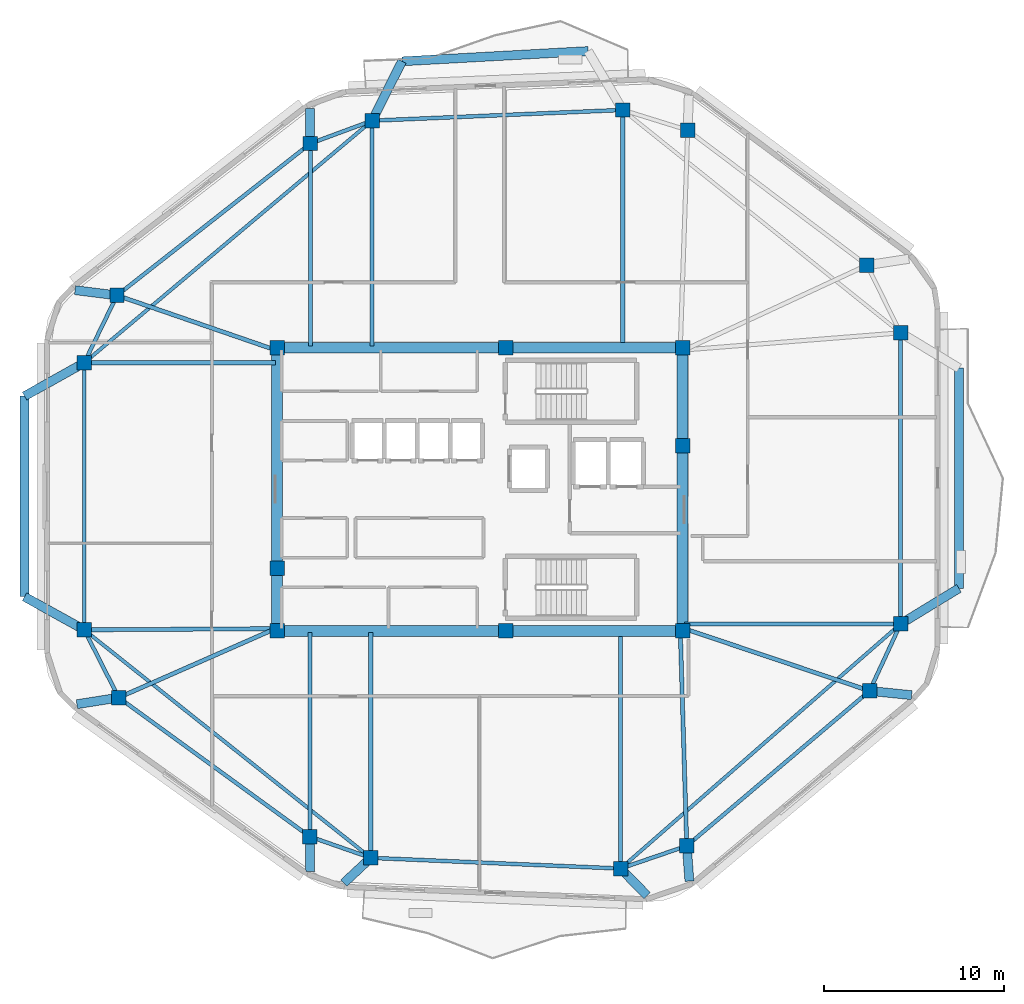
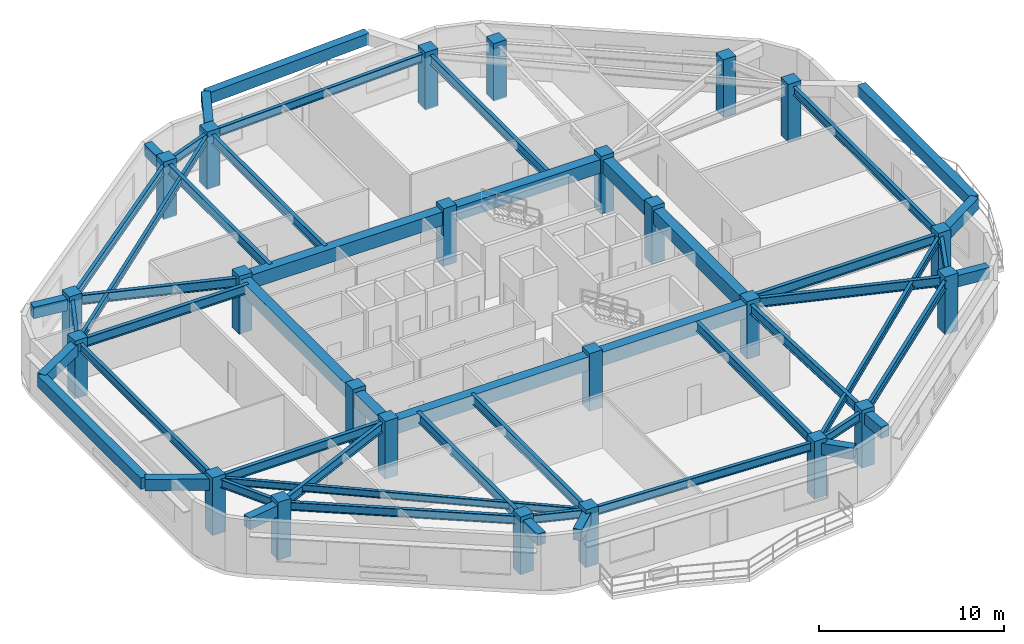
# One storey, part 1 of 8: 52 beams, 24 columns.
"""IFC4 building model written with IfcOpenShell, lengths in metres."""

from ifc_helpers import new_model, si_unit, direction, frame, origin, origin_2d, place, context, subcontext, project, spatial, rectangle, i_section, extrude, material, material_profile, profile_set, type_object, element, save


model = new_model("IFC4")

# Units and contexts
model_context = context("Model", 3, precision=1e-05, world=origin(), true_north=direction((0.0, 1.0)))
body_context = subcontext(model_context, "Body", "Model", "MODEL_VIEW")
ifc_project = project(units=[si_unit("LENGTHUNIT", "METRE"), si_unit("AREAUNIT", "SQUARE_METRE"), si_unit("VOLUMEUNIT", "CUBIC_METRE"), si_unit("PLANEANGLEUNIT", "RADIAN"), si_unit("MASSUNIT", "GRAM", prefix="KILO")], contexts=[model_context])

# Site, building, storey
site_placement = place(None, origin())
site = spatial("IfcSite", under=ifc_project, at=site_placement, CompositionType="ELEMENT")
building_placement = place(site_placement, origin())
building = spatial("IfcBuilding", under=site, at=building_placement, Name="Zulverin Broadcast Headquarters", CompositionType="ELEMENT")
storey_placement = place(building_placement, frame((0.0, 0.0, 297.199951171875)))
storey = spatial("IfcBuildingStorey", under=building, at=storey_placement, Name="L76", CompositionType="ELEMENT", Elevation=297.199951171875)

# Columns
ifc_material_1 = material(Name="Concrete C50/60", Category="concrete")
ifc_material_profile_1 = material_profile(ifc_material_1, rectangle(XDim=0.800048828125, YDim=0.800048828125, at=origin_2d()), Name="Concrete C50/60", Category="concrete")
ifc_profile_set_1 = profile_set([ifc_material_profile_1], Name="Concrete C50/60")
column_type_1 = type_object("IfcColumnType", Name="COL-RC-800", PredefinedType="COLUMN", material=ifc_profile_set_1)
for number, where, z_axis, x_axis, name in (
    (1, (30.93359375, 4.703125, 0.0), (0.0, 0.0, 1.0), (1.0, 0.0, 0.0), "L76 Perimeter Column T01"),
    (2, (44.826904296875, 4.1083984375, 0.0), (0.0, 0.0, 1.0), (1.0, 0.0, 0.0), "L76 Perimeter Column T02"),
    (3, (48.5078125, 5.3701171875, 0.0), (0.0, 0.0, 1.0), (1.0, 0.0, 0.0), "L76 Perimeter Column T03"),
    (4, (58.6748046875, 13.9892578125, 0.0), (0.0, 0.0, 1.0), (1.0, 0.0, 0.0), "L76 Perimeter Column T04"),
    (5, (60.39990234375, 17.713623046875, 0.0), (0.0, 0.0, 1.0), (1.0, 0.0, 0.0), "L76 Perimeter Column T05"),
    (6, (60.39990234375, 33.903076171875, 0.0), (0.0, 0.0, 1.0), (1.0, 0.0, 0.0), "L76 Perimeter Column T06"),
    (7, (58.52587890625, 37.661865234375, 0.0), (0.0, 0.0, 1.0), (1.0, 0.0, 0.0), "L76 Perimeter Column T07"),
    (8, (48.55908203125, 45.172607421875, 0.0), (0.0, 0.0, 1.0), (1.0, 0.0, 0.0), "L76 Perimeter Column T08"),
    (9, (44.944580078125, 46.296630859375, 0.0), (0.0, 0.0, 1.0), (1.0, 0.0, 0.0), "L76 Perimeter Column T09"),
    (10, (31.006591796875, 45.699951171875, 0.0), (0.0, 0.0, 1.0), (1.0, 0.0, 0.0), "L76 Perimeter Column T10"),
    (11, (27.573486328125, 44.4296875, 0.0), (0.0, 0.0, 1.0), (1.0, 0.0, 0.0), "L76 Perimeter Column T11"),
    (12, (16.82177734375, 35.98388671875, 0.0), (0.0, 0.0, 1.0), (1.0, 0.0, 0.0), "L76 Perimeter Column T12"),
    (13, (15.0, 32.236083984375, 0.0), (0.0, 0.0, 1.0), (1.0, 0.0, 0.0), "L76 Perimeter Column T13"),
    (14, (15.0, 17.383056640625, 0.0), (0.0, 0.0, 1.0), (1.0, 0.0, 0.0), "L76 Perimeter Column T14"),
    (15, (16.918212890625, 13.61572265625, 0.0), (0.0, 0.0, 1.0), (1.0, 0.0, 0.0), "L76 Perimeter Column T15"),
    (16, (27.54541015625, 5.8857421875, 0.0), (0.0, 0.0, 1.0), (1.0, 0.0, 0.0), "L76 Perimeter Column T16"),
):
    element("IfcColumn", number, at=place(storey_placement, frame(where, z_axis=z_axis, x_axis=x_axis)), inside=storey, type_object=column_type_1, Name=name, PredefinedType="COLUMN", context=body_context, shape_type="SweptSolid", body=[
        extrude(rectangle(XDim=0.800048828125, YDim=0.800048828125, at=origin_2d()), origin(), (0.0, 0.0, 1.0), 3.800048828125),
    ])
ifc_material_profile_2 = material_profile(ifc_material_1, rectangle(XDim=0.800048828125, YDim=0.800048828125, at=origin_2d()), Name="Concrete C50/60", Category="concrete")
ifc_profile_set_2 = profile_set([ifc_material_profile_2], Name="Concrete C50/60")
column_type_2 = type_object("IfcColumnType", Name="PIL-RC-800", PredefinedType="PILASTER", material=ifc_profile_set_2)
for number, where, z_axis, x_axis, name in (
    (17, (25.72509765625, 17.324951171875, 0.0), (0.0, 0.0, 1.0), (1.0, 0.0, 0.0), "L76 Core Pilaster K01"),
    (18, (38.449951171875, 17.324951171875, 0.0), (0.0, 0.0, 1.0), (1.0, 0.0, 0.0), "L76 Core Pilaster K02"),
    (19, (48.27490234375, 17.324951171875, 0.0), (0.0, 0.0, 1.0), (1.0, 0.0, 0.0), "L76 Core Pilaster K03"),
    (20, (48.27490234375, 27.6201171875, 0.0), (0.0, 0.0, 1.0), (1.0, 0.0, 0.0), "L76 Core Pilaster K04"),
    (21, (48.27490234375, 33.074951171875, 0.0), (0.0, 0.0, 1.0), (1.0, 0.0, 0.0), "L76 Core Pilaster K05"),
    (22, (38.449951171875, 33.074951171875, 0.0), (0.0, 0.0, 1.0), (1.0, 0.0, 0.0), "L76 Core Pilaster K06"),
    (23, (25.72509765625, 33.074951171875, 0.0), (0.0, 0.0, 1.0), (1.0, 0.0, 0.0), "L76 Core Pilaster K07"),
    (24, (25.72509765625, 20.800048828125, 0.0), (0.0, 0.0, 1.0), (1.0, 0.0, 0.0), "L76 Core Pilaster K08"),
):
    element("IfcColumn", number, at=place(storey_placement, frame(where, z_axis=z_axis, x_axis=x_axis)), inside=storey, type_object=column_type_2, Name=name, PredefinedType="PILASTER", context=body_context, shape_type="SweptSolid", body=[
        extrude(rectangle(XDim=0.800048828125, YDim=0.800048828125, at=origin_2d()), origin(), (0.0, 0.0, 1.0), 3.800048828125),
    ])

# Beams
ifc_material_2 = material(Name="Concrete C60/75", Category="concrete")
ifc_material_profile_3 = material_profile(ifc_material_2, rectangle(XDim=0.60009765625, YDim=0.89990234375, at=origin_2d()), Name="Concrete C60/75", Category="concrete")
ifc_profile_set_3 = profile_set([ifc_material_profile_3], Name="Concrete C60/75")
beam_type_1 = type_object("IfcBeamType", Name="BM-CB-600x900", PredefinedType="LINTEL", material=ifc_profile_set_3)
beam_1_placement = place(storey_placement, frame((25.72509765625, 17.324951171875, 3.090087890625), z_axis=(1.0, 0.0, 0.0), x_axis=(0.0, 1.0, 0.0)))
element("IfcBeam", 25, at=beam_1_placement, inside=storey, type_object=beam_type_1, Name="L76 Core Coupling Girder K01-K02", PredefinedType="LINTEL", context=body_context, shape_type="SweptSolid", body=[
    extrude(rectangle(XDim=0.60009765625, YDim=0.89990234375, at=origin_2d()), origin(), (0.0, 0.0, 1.0), 12.724853515625),
])
beam_2_placement = place(storey_placement, frame((38.449951171875, 17.324951171875, 3.090087890625), z_axis=(1.0, 0.0, 0.0), x_axis=(0.0, 1.0, 0.0)))
element("IfcBeam", 26, at=beam_2_placement, inside=storey, type_object=beam_type_1, Name="L76 Core Coupling Girder K02-K03", PredefinedType="LINTEL", context=body_context, shape_type="SweptSolid", body=[
    extrude(rectangle(XDim=0.60009765625, YDim=0.89990234375, at=origin_2d()), origin(), (0.0, 0.0, 1.0), 9.824951171875),
])
beam_3_placement = place(storey_placement, frame((48.27490234375, 17.324951171875, 3.090087890625), z_axis=(0.0, 1.0, 0.0), x_axis=(-1.0, 0.0, 0.0)))
element("IfcBeam", 27, at=beam_3_placement, inside=storey, type_object=beam_type_1, Name="L76 Core Coupling Girder K03-K04", PredefinedType="LINTEL", context=body_context, shape_type="SweptSolid", body=[
    extrude(rectangle(XDim=0.60009765625, YDim=0.89990234375, at=origin_2d()), origin(), (0.0, 0.0, 1.0), 10.295166015625),
])
beam_4_placement = place(storey_placement, frame((48.27490234375, 27.6201171875, 3.090087890625), z_axis=(0.0, 1.0, 0.0), x_axis=(-1.0, 0.0, 0.0)))
element("IfcBeam", 28, at=beam_4_placement, inside=storey, type_object=beam_type_1, Name="L76 Core Coupling Girder K04-K05", PredefinedType="LINTEL", context=body_context, shape_type="SweptSolid", body=[
    extrude(rectangle(XDim=0.60009765625, YDim=0.89990234375, at=origin_2d()), origin(), (0.0, 0.0, 1.0), 5.454833984375),
])
beam_5_placement = place(storey_placement, frame((48.27490234375, 33.074951171875, 3.090087890625), z_axis=(-1.0, 0.0, 0.0), x_axis=(0.0, -1.0, 0.0)))
element("IfcBeam", 29, at=beam_5_placement, inside=storey, type_object=beam_type_1, Name="L76 Core Coupling Girder K05-K06", PredefinedType="LINTEL", context=body_context, shape_type="SweptSolid", body=[
    extrude(rectangle(XDim=0.60009765625, YDim=0.89990234375, at=origin_2d()), origin(), (0.0, 0.0, 1.0), 9.824951171875),
])
beam_6_placement = place(storey_placement, frame((38.449951171875, 33.074951171875, 3.090087890625), z_axis=(-1.0, 0.0, 0.0), x_axis=(0.0, -1.0, 0.0)))
element("IfcBeam", 30, at=beam_6_placement, inside=storey, type_object=beam_type_1, Name="L76 Core Coupling Girder K06-K07", PredefinedType="LINTEL", context=body_context, shape_type="SweptSolid", body=[
    extrude(rectangle(XDim=0.60009765625, YDim=0.89990234375, at=origin_2d()), origin(), (0.0, 0.0, 1.0), 12.724853515625),
])
beam_7_placement = place(storey_placement, frame((25.72509765625, 33.074951171875, 3.090087890625), z_axis=(0.0, -1.0, 0.0), x_axis=(1.0, 0.0, 0.0)))
element("IfcBeam", 31, at=beam_7_placement, inside=storey, type_object=beam_type_1, Name="L76 Core Coupling Girder K07-K08", PredefinedType="LINTEL", context=body_context, shape_type="SweptSolid", body=[
    extrude(rectangle(XDim=0.60009765625, YDim=0.89990234375, at=origin_2d()), origin(), (0.0, 0.0, 1.0), 12.27490234375),
])
beam_8_placement = place(storey_placement, frame((25.72509765625, 20.800048828125, 3.090087890625), z_axis=(0.0, -1.0, 0.0), x_axis=(1.0, 0.0, 0.0)))
element("IfcBeam", 32, at=beam_8_placement, inside=storey, type_object=beam_type_1, Name="L76 Core Coupling Girder K08-K01", PredefinedType="LINTEL", context=body_context, shape_type="SweptSolid", body=[
    extrude(rectangle(XDim=0.60009765625, YDim=0.89990234375, at=origin_2d()), origin(), (0.0, 0.0, 1.0), 3.47509765625),
])
ifc_material_3 = material(Name="Concrete C40/50", Category="concrete")
ifc_material_profile_4 = material_profile(ifc_material_3, rectangle(XDim=0.5, YDim=0.75, at=origin_2d()), Name="Concrete C40/50", Category="concrete")
ifc_profile_set_4 = profile_set([ifc_material_profile_4], Name="Concrete C40/50")
beam_type_2 = type_object("IfcBeamType", Name="BM-RC-500x750", PredefinedType="BEAM", material=ifc_profile_set_4)
beam_9_placement = place(storey_placement, frame((30.93359375, 4.703125, 3.1650390625), z_axis=(-0.73024265603, -0.683187868243, 0.0), x_axis=(0.683187868243, -0.73024265603, 0.0)))
element("IfcBeam", 33, at=beam_9_placement, inside=storey, type_object=beam_type_2, Name="L77 Plate Overhang Back-Spanned Beam OVR-01", PredefinedType="BEAM", context=body_context, shape_type="SweptSolid", body=[
    extrude(rectangle(XDim=0.5, YDim=0.75, at=origin_2d()), origin(), (0.0, 0.0, 1.0), 2.04931640625),
])
beam_10_placement = place(storey_placement, frame((44.826904296875, 4.1083984375, 3.1650390625), z_axis=(0.700802041064, -0.713355801295, 0.0), x_axis=(0.713355801295, 0.700802041064, 0.0)))
element("IfcBeam", 34, at=beam_10_placement, inside=storey, type_object=beam_type_2, Name="L77 Plate Overhang Back-Spanned Beam OVR-02", PredefinedType="BEAM", context=body_context, shape_type="SweptSolid", body=[
    extrude(rectangle(XDim=0.5, YDim=0.75, at=origin_2d()), origin(), (0.0, 0.0, 1.0), 2.100341796875),
])
beam_11_placement = place(storey_placement, frame((48.5078125, 5.3701171875, 3.1650390625), z_axis=(0.074434680239, -0.997225891349, 0.0), x_axis=(0.997225891349, 0.074434680239, 0.0)))
element("IfcBeam", 35, at=beam_11_placement, inside=storey, type_object=beam_type_2, Name="L77 Plate Overhang Back-Spanned Beam OVR-03", PredefinedType="BEAM", context=body_context, shape_type="SweptSolid", body=[
    extrude(rectangle(XDim=0.5, YDim=0.75, at=origin_2d()), origin(), (0.0, 0.0, 1.0), 1.964599609375),
])
beam_12_placement = place(storey_placement, frame((58.6748046875, 13.9892578125, 3.1650390625), z_axis=(0.994775761489, -0.10208420227, 0.0), x_axis=(0.10208420227, 0.994775761489, 0.0)))
element("IfcBeam", 36, at=beam_12_placement, inside=storey, type_object=beam_type_2, Name="L77 Plate Overhang Back-Spanned Beam OVR-04", PredefinedType="BEAM", context=body_context, shape_type="SweptSolid", body=[
    extrude(rectangle(XDim=0.5, YDim=0.75, at=origin_2d()), origin(), (0.0, 0.0, 1.0), 2.350830078125),
])
beam_13_placement = place(storey_placement, frame((27.573486328125, 44.4296875, 3.1650390625), z_axis=(-0.015261577794, 0.99988353534, 0.0), x_axis=(-0.99988353534, -0.015261577794, 0.0)))
element("IfcBeam", 37, at=beam_13_placement, inside=storey, type_object=beam_type_2, Name="L77 Plate Overhang Back-Spanned Beam OVR-11", PredefinedType="BEAM", context=body_context, shape_type="SweptSolid", body=[
    extrude(rectangle(XDim=0.5, YDim=0.75, at=origin_2d()), origin(), (0.0, 0.0, 1.0), 1.95166015625),
])
beam_14_placement = place(storey_placement, frame((16.82177734375, 35.98388671875, 3.1650390625), z_axis=(-0.992249101717, 0.124264718012, 0.0), x_axis=(-0.124264718012, -0.992249101717, 0.0)))
element("IfcBeam", 38, at=beam_14_placement, inside=storey, type_object=beam_type_2, Name="L77 Plate Overhang Back-Spanned Beam OVR-12", PredefinedType="BEAM", context=body_context, shape_type="SweptSolid", body=[
    extrude(rectangle(XDim=0.5, YDim=0.75, at=origin_2d()), origin(), (0.0, 0.0, 1.0), 2.351806640625),
])
beam_15_placement = place(storey_placement, frame((16.918212890625, 13.61572265625, 3.1650390625), z_axis=(-0.987723457787, -0.156212582521, 0.0), x_axis=(0.156212582521, -0.987723457787, 0.0)))
element("IfcBeam", 39, at=beam_15_placement, inside=storey, type_object=beam_type_2, Name="L77 Plate Overhang Back-Spanned Beam OVR-15", PredefinedType="BEAM", context=body_context, shape_type="SweptSolid", body=[
    extrude(rectangle(XDim=0.5, YDim=0.75, at=origin_2d()), origin(), (0.0, 0.0, 1.0), 2.35693359375),
])
beam_16_placement = place(storey_placement, frame((27.54541015625, 5.8857421875, 3.1650390625), z_axis=(0.012082189143, -0.999927007689, 0.0), x_axis=(0.999927007689, 0.012082189143, 0.0)))
element("IfcBeam", 40, at=beam_16_placement, inside=storey, type_object=beam_type_2, Name="L77 Plate Overhang Back-Spanned Beam OVR-16", PredefinedType="BEAM", context=body_context, shape_type="SweptSolid", body=[
    extrude(rectangle(XDim=0.5, YDim=0.75, at=origin_2d()), origin(), (0.0, 0.0, 1.0), 1.93994140625),
])
beam_17_placement = place(storey_placement, frame((60.39990234375, 17.713623046875, 3.1650390625), z_axis=(0.853361233194, 0.521320060694, 0.0), x_axis=(-0.521320060694, 0.853361233194, 0.0)))
element("IfcBeam", 41, at=beam_17_placement, inside=storey, type_object=beam_type_2, Name="L77 Balcony Column-Framed Cantilever BAL_E-1", PredefinedType="BEAM", context=body_context, shape_type="SweptSolid", body=[
    extrude(rectangle(XDim=0.5, YDim=0.75, at=origin_2d()), origin(), (0.0, 0.0, 1.0), 3.7998046875),
])
beam_18_placement = place(storey_placement, frame((63.642578125, 19.694580078125, 3.1650390625), z_axis=(0.000757802156, 0.999999712868, 0.0), x_axis=(-0.999999712868, 0.000757802156, 0.0)))
element("IfcBeam", 42, at=beam_18_placement, inside=storey, type_object=beam_type_2, Name="L77 Balcony Outer Edge Trimmer Beam BAL_E", PredefinedType="BEAM", context=body_context, shape_type="SweptSolid", body=[
    extrude(rectangle(XDim=0.5, YDim=0.75, at=origin_2d()), origin(), (0.0, 0.0, 1.0), 12.242431640625),
])
beam_19_placement = place(storey_placement, frame((31.006591796875, 45.699951171875, 3.1650390625), z_axis=(0.450116919945, 0.892969629035, 0.0), x_axis=(-0.892969629035, 0.450116919945, 0.0)))
element("IfcBeam", 43, at=beam_19_placement, inside=storey, type_object=beam_type_2, Name="L77 Balcony Column-Framed Cantilever BAL_N-2", PredefinedType="BEAM", context=body_context, shape_type="SweptSolid", body=[
    extrude(rectangle(XDim=0.5, YDim=0.75, at=origin_2d()), origin(), (0.0, 0.0, 1.0), 3.697021484375),
])
beam_20_placement = place(storey_placement, frame((43.0166015625, 49.5712890625, 3.1650390625), z_axis=(-0.998485407451, -0.055017189192, 0.0), x_axis=(0.055017189192, -0.998485407451, 0.0)))
element("IfcBeam", 44, at=beam_20_placement, inside=storey, type_object=beam_type_2, Name="L77 Balcony Outer Edge Trimmer Beam BAL_N", PredefinedType="BEAM", context=body_context, shape_type="SweptSolid", body=[
    extrude(rectangle(XDim=0.5, YDim=0.75, at=origin_2d()), origin(), (0.0, 0.0, 1.0), 10.361572265625),
])
for number, where, z_axis, x_axis, name in (
    (45, (15.0, 32.236083984375, 3.1650390625), (-0.873048873834, -0.487632714137, 0.0), (0.487632714137, -0.873048873834, 0.0), "L77 Balcony Column-Framed Cantilever BAL_W-1"),
    (46, (15.0, 17.383056640625, 3.1650390625), (-0.874614506894, 0.484819001618, 0.0), (-0.484819001618, -0.874614506894, 0.0), "L77 Balcony Column-Framed Cantilever BAL_W-2"),
):
    element("IfcBeam", number, at=place(storey_placement, frame(where, z_axis=z_axis, x_axis=x_axis)), inside=storey, type_object=beam_type_2, Name=name, PredefinedType="BEAM", context=body_context, shape_type="SweptSolid", body=[
        extrude(rectangle(XDim=0.5, YDim=0.75, at=origin_2d()), origin(), (0.0, 0.0, 1.0), 3.800048828125),
    ])
beam_21_placement = place(storey_placement, frame((11.682373046875, 30.383056640625, 3.1650390625), z_axis=(-0.000525141059, -0.999999862113, 0.0), x_axis=(0.999999862113, -0.000525141059, 0.0)))
element("IfcBeam", 47, at=beam_21_placement, inside=storey, type_object=beam_type_2, Name="L77 Balcony Outer Edge Trimmer Beam BAL_W", PredefinedType="BEAM", context=body_context, shape_type="SweptSolid", body=[
    extrude(rectangle(XDim=0.5, YDim=0.75, at=origin_2d()), origin(), (0.0, 0.0, 1.0), 11.15771484375),
])
ifc_material_4 = material(Name="Structural steel S355JR", Category="steel")
ifc_material_profile_5 = material_profile(ifc_material_4, i_section(OverallWidth=0.19287109375, OverallDepth=0.46728515625, WebThickness=0.011474609375, FlangeThickness=0.01953125, at=origin_2d()), Name="Structural steel S355JR", Category="steel")
ifc_profile_set_5 = profile_set([ifc_material_profile_5], Name="Structural steel S355JR")
beam_type_3 = type_object("IfcBeamType", Name="BM-UB-457", PredefinedType="JOIST", material=ifc_profile_set_5)
beam_22_placement = place(storey_placement, frame((44.826904296875, 4.1083984375, 3.306396484375), z_axis=(0.753083303383, 0.657925176723, 0.0), x_axis=(-0.657925176723, 0.753083303383, 0.0)))
element("IfcBeam", 48, at=beam_22_placement, inside=storey, type_object=beam_type_3, Name="L76 Chordal Floor Joist J-01", PredefinedType="JOIST", context=body_context, shape_type="SweptSolid", body=[
    extrude(i_section(OverallWidth=0.19287109375, OverallDepth=0.46728515625, WebThickness=0.011474609375, FlangeThickness=0.01953125, at=origin_2d()), origin(), (0.0, 0.0, 1.0), 20.678955078125),
])
beam_23_placement = place(storey_placement, frame((31.006591796875, 45.699951171875, 3.306396484375), z_axis=(-0.765273089862, -0.643705754156, 0.0), x_axis=(0.643705754156, -0.765273089862, 0.0)))
element("IfcBeam", 49, at=beam_23_placement, inside=storey, type_object=beam_type_3, Name="L76 Chordal Floor Joist J-03", PredefinedType="JOIST", context=body_context, shape_type="SweptSolid", body=[
    extrude(i_section(OverallWidth=0.19287109375, OverallDepth=0.46728515625, WebThickness=0.011474609375, FlangeThickness=0.01953125, at=origin_2d()), origin(), (0.0, 0.0, 1.0), 20.916259765625),
])
beam_24_placement = place(storey_placement, frame((15.0, 17.383056640625, 3.306396484375), z_axis=(0.782469878912, -0.622688436214, 0.0), x_axis=(0.622688436214, 0.782469878912, 0.0)))
element("IfcBeam", 50, at=beam_24_placement, inside=storey, type_object=beam_type_3, Name="L76 Chordal Floor Joist J-04", PredefinedType="JOIST", context=body_context, shape_type="SweptSolid", body=[
    extrude(i_section(OverallWidth=0.19287109375, OverallDepth=0.46728515625, WebThickness=0.011474609375, FlangeThickness=0.01953125, at=origin_2d()), origin(), (0.0, 0.0, 1.0), 20.36328125),
])
ifc_material_profile_6 = material_profile(ifc_material_4, i_section(OverallWidth=0.2119140625, OverallDepth=0.54443359375, WebThickness=0.0126953125, FlangeThickness=0.021240234375, at=origin_2d()), Name="Structural steel S355JR", Category="steel")
ifc_profile_set_6 = profile_set([ifc_material_profile_6], Name="Structural steel S355JR")
beam_type_4 = type_object("IfcBeamType", Name="BM-UB-533", PredefinedType="SPANDREL", material=ifc_profile_set_6)
beam_25_placement = place(storey_placement, frame((30.93359375, 4.703125, 3.267822265625), z_axis=(0.999085051108, -0.042767518662, 0.0), x_axis=(0.042767518662, 0.999085051108, 0.0)))
element("IfcBeam", 51, at=beam_25_placement, inside=storey, type_object=beam_type_4, Name="L76 Perimeter Spandrel Beam SP-01", PredefinedType="SPANDREL", context=body_context, shape_type="SweptSolid", body=[
    extrude(i_section(OverallWidth=0.2119140625, OverallDepth=0.54443359375, WebThickness=0.0126953125, FlangeThickness=0.021240234375, at=origin_2d()), origin(), (0.0, 0.0, 1.0), 13.906005859375),
])
beam_26_placement = place(storey_placement, frame((44.826904296875, 4.1083984375, 3.267822265625), z_axis=(0.945970142065, 0.324253743728, 0.0), x_axis=(-0.324253743728, 0.945970142065, 0.0)))
element("IfcBeam", 52, at=beam_26_placement, inside=storey, type_object=beam_type_4, Name="L76 Perimeter Spandrel Beam SP-02", PredefinedType="SPANDREL", context=body_context, shape_type="SweptSolid", body=[
    extrude(i_section(OverallWidth=0.2119140625, OverallDepth=0.54443359375, WebThickness=0.0126953125, FlangeThickness=0.021240234375, at=origin_2d()), origin(), (0.0, 0.0, 1.0), 3.89111328125),
])
beam_27_placement = place(storey_placement, frame((48.5078125, 5.3701171875, 3.267822265625), z_axis=(0.762782889345, 0.646654671152, 0.0), x_axis=(-0.646654671152, 0.762782889345, 0.0)))
element("IfcBeam", 53, at=beam_27_placement, inside=storey, type_object=beam_type_4, Name="L76 Perimeter Spandrel Beam SP-03", PredefinedType="SPANDREL", context=body_context, shape_type="SweptSolid", body=[
    extrude(i_section(OverallWidth=0.2119140625, OverallDepth=0.54443359375, WebThickness=0.0126953125, FlangeThickness=0.021240234375, at=origin_2d()), origin(), (0.0, 0.0, 1.0), 13.328857421875),
])
beam_28_placement = place(storey_placement, frame((58.6748046875, 13.9892578125, 3.267822265625), z_axis=(0.420294999852, 0.907387520908, 0.0), x_axis=(-0.907387520908, 0.420294999852, 0.0)))
element("IfcBeam", 54, at=beam_28_placement, inside=storey, type_object=beam_type_4, Name="L76 Perimeter Spandrel Beam SP-04", PredefinedType="SPANDREL", context=body_context, shape_type="SweptSolid", body=[
    extrude(i_section(OverallWidth=0.2119140625, OverallDepth=0.54443359375, WebThickness=0.0126953125, FlangeThickness=0.021240234375, at=origin_2d()), origin(), (0.0, 0.0, 1.0), 4.1044921875),
])
beam_29_placement = place(storey_placement, frame((60.39990234375, 17.713623046875, 3.267822265625), z_axis=(0.0, 1.0, 0.0), x_axis=(-1.0, 0.0, 0.0)))
element("IfcBeam", 55, at=beam_29_placement, inside=storey, type_object=beam_type_4, Name="L76 Perimeter Spandrel Beam SP-05", PredefinedType="SPANDREL", context=body_context, shape_type="SweptSolid", body=[
    extrude(i_section(OverallWidth=0.2119140625, OverallDepth=0.54443359375, WebThickness=0.0126953125, FlangeThickness=0.021240234375, at=origin_2d()), origin(), (0.0, 0.0, 1.0), 16.189453125),
])
beam_30_placement = place(storey_placement, frame((44.944580078125, 46.296630859375, 3.267822265625), z_axis=(-0.999084926695, -0.042770424958, 0.0), x_axis=(0.042770424958, -0.999084926695, 0.0)))
element("IfcBeam", 56, at=beam_30_placement, inside=storey, type_object=beam_type_4, Name="L76 Perimeter Spandrel Beam SP-09", PredefinedType="SPANDREL", context=body_context, shape_type="SweptSolid", body=[
    extrude(i_section(OverallWidth=0.2119140625, OverallDepth=0.54443359375, WebThickness=0.0126953125, FlangeThickness=0.021240234375, at=origin_2d()), origin(), (0.0, 0.0, 1.0), 13.95068359375),
])
beam_31_placement = place(storey_placement, frame((31.006591796875, 45.699951171875, 3.267822265625), z_axis=(-0.937860540342, -0.347012401607, 0.0), x_axis=(0.347012401607, -0.937860540342, 0.0)))
element("IfcBeam", 57, at=beam_31_placement, inside=storey, type_object=beam_type_4, Name="L76 Perimeter Spandrel Beam SP-10", PredefinedType="SPANDREL", context=body_context, shape_type="SweptSolid", body=[
    extrude(i_section(OverallWidth=0.2119140625, OverallDepth=0.54443359375, WebThickness=0.0126953125, FlangeThickness=0.021240234375, at=origin_2d()), origin(), (0.0, 0.0, 1.0), 3.66064453125),
])
beam_32_placement = place(storey_placement, frame((27.573486328125, 44.4296875, 3.267822265625), z_axis=(-0.786388352061, -0.617732433779, 0.0), x_axis=(0.617732433779, -0.786388352061, 0.0)))
element("IfcBeam", 58, at=beam_32_placement, inside=storey, type_object=beam_type_4, Name="L76 Perimeter Spandrel Beam SP-11", PredefinedType="SPANDREL", context=body_context, shape_type="SweptSolid", body=[
    extrude(i_section(OverallWidth=0.2119140625, OverallDepth=0.54443359375, WebThickness=0.0126953125, FlangeThickness=0.021240234375, at=origin_2d()), origin(), (0.0, 0.0, 1.0), 13.67236328125),
])
beam_33_placement = place(storey_placement, frame((16.82177734375, 35.98388671875, 3.267822265625), z_axis=(-0.437178884994, -0.899374572976, 0.0), x_axis=(0.899374572976, -0.437178884994, 0.0)))
element("IfcBeam", 59, at=beam_33_placement, inside=storey, type_object=beam_type_4, Name="L76 Perimeter Spandrel Beam SP-12", PredefinedType="SPANDREL", context=body_context, shape_type="SweptSolid", body=[
    extrude(i_section(OverallWidth=0.2119140625, OverallDepth=0.54443359375, WebThickness=0.0126953125, FlangeThickness=0.021240234375, at=origin_2d()), origin(), (0.0, 0.0, 1.0), 4.167236328125),
])
beam_34_placement = place(storey_placement, frame((15.0, 32.236083984375, 3.267822265625), z_axis=(0.0, -1.0, 0.0), x_axis=(1.0, 0.0, 0.0)))
element("IfcBeam", 60, at=beam_34_placement, inside=storey, type_object=beam_type_4, Name="L76 Perimeter Spandrel Beam SP-13", PredefinedType="SPANDREL", context=body_context, shape_type="SweptSolid", body=[
    extrude(i_section(OverallWidth=0.2119140625, OverallDepth=0.54443359375, WebThickness=0.0126953125, FlangeThickness=0.021240234375, at=origin_2d()), origin(), (0.0, 0.0, 1.0), 14.85302734375),
])
beam_35_placement = place(storey_placement, frame((15.0, 17.383056640625, 3.267822265625), z_axis=(0.453738909408, -0.89113467113, 0.0), x_axis=(0.89113467113, 0.453738909408, 0.0)))
element("IfcBeam", 61, at=beam_35_placement, inside=storey, type_object=beam_type_4, Name="L76 Perimeter Spandrel Beam SP-14", PredefinedType="SPANDREL", context=body_context, shape_type="SweptSolid", body=[
    extrude(i_section(OverallWidth=0.2119140625, OverallDepth=0.54443359375, WebThickness=0.0126953125, FlangeThickness=0.021240234375, at=origin_2d()), origin(), (0.0, 0.0, 1.0), 4.2275390625),
])
beam_36_placement = place(storey_placement, frame((16.918212890625, 13.61572265625, 3.267822265625), z_axis=(0.808695913066, -0.588226929162, 0.0), x_axis=(0.588226929162, 0.808695913066, 0.0)))
element("IfcBeam", 62, at=beam_36_placement, inside=storey, type_object=beam_type_4, Name="L76 Perimeter Spandrel Beam SP-15", PredefinedType="SPANDREL", context=body_context, shape_type="SweptSolid", body=[
    extrude(i_section(OverallWidth=0.2119140625, OverallDepth=0.54443359375, WebThickness=0.0126953125, FlangeThickness=0.021240234375, at=origin_2d()), origin(), (0.0, 0.0, 1.0), 13.14111328125),
])
beam_37_placement = place(storey_placement, frame((27.54541015625, 5.8857421875, 3.267822265625), z_axis=(0.944140138036, -0.329544230339, 0.0), x_axis=(0.329544230339, 0.944140138036, 0.0)))
element("IfcBeam", 63, at=beam_37_placement, inside=storey, type_object=beam_type_4, Name="L76 Perimeter Spandrel Beam SP-16", PredefinedType="SPANDREL", context=body_context, shape_type="SweptSolid", body=[
    extrude(i_section(OverallWidth=0.2119140625, OverallDepth=0.54443359375, WebThickness=0.0126953125, FlangeThickness=0.021240234375, at=origin_2d()), origin(), (0.0, 0.0, 1.0), 3.588623046875),
])
ifc_material_profile_7 = material_profile(ifc_material_4, i_section(OverallWidth=0.230224609375, OverallDepth=0.6171875, WebThickness=0.01318359375, FlangeThickness=0.022216796875, at=origin_2d()), Name="Structural steel S355JR", Category="steel")
ifc_profile_set_7 = profile_set([ifc_material_profile_7], Name="Structural steel S355JR")
beam_type_5 = type_object("IfcBeamType", Name="BM-UB-610", PredefinedType="BEAM", material=ifc_profile_set_7)
beam_38_placement = place(storey_placement, frame((30.93359375, 17.22509765625, 3.2314453125), z_axis=(0.0, -1.0, 0.0), x_axis=(1.0, 0.0, 0.0)))
element("IfcBeam", 64, at=beam_38_placement, inside=storey, type_object=beam_type_5, Name="L76 Radial Primary Floor Beam RB-01", PredefinedType="BEAM", context=body_context, shape_type="SweptSolid", body=[
    extrude(i_section(OverallWidth=0.230224609375, OverallDepth=0.6171875, WebThickness=0.01318359375, FlangeThickness=0.022216796875, at=origin_2d()), origin(), (0.0, 0.0, 1.0), 12.52197265625),
])
beam_39_placement = place(storey_placement, frame((44.826904296875, 17.22509765625, 3.2314453125), z_axis=(0.0, -1.0, 0.0), x_axis=(1.0, 0.0, 0.0)))
element("IfcBeam", 65, at=beam_39_placement, inside=storey, type_object=beam_type_5, Name="L76 Radial Primary Floor Beam RB-02", PredefinedType="BEAM", context=body_context, shape_type="SweptSolid", body=[
    extrude(i_section(OverallWidth=0.230224609375, OverallDepth=0.6171875, WebThickness=0.01318359375, FlangeThickness=0.022216796875, at=origin_2d()), origin(), (0.0, 0.0, 1.0), 13.11669921875),
])
beam_40_placement = place(storey_placement, frame((48.14990234375, 17.22509765625, 3.2314453125), z_axis=(0.030176950096, -0.999544572134, 0.0), x_axis=(0.999544572134, 0.030176950096, 0.0)))
element("IfcBeam", 66, at=beam_40_placement, inside=storey, type_object=beam_type_5, Name="L76 Radial Primary Floor Beam RB-03", PredefinedType="BEAM", context=body_context, shape_type="SweptSolid", body=[
    extrude(i_section(OverallWidth=0.230224609375, OverallDepth=0.6171875, WebThickness=0.01318359375, FlangeThickness=0.022216796875, at=origin_2d()), origin(), (0.0, 0.0, 1.0), 11.8603515625),
])
beam_41_placement = place(storey_placement, frame((48.375, 17.449951171875, 3.2314453125), z_axis=(0.947923372096, -0.318498478228, 0.0), x_axis=(0.318498478228, 0.947923372096, 0.0)))
element("IfcBeam", 67, at=beam_41_placement, inside=storey, type_object=beam_type_5, Name="L76 Radial Primary Floor Beam RB-04", PredefinedType="BEAM", context=body_context, shape_type="SweptSolid", body=[
    extrude(i_section(OverallWidth=0.230224609375, OverallDepth=0.6171875, WebThickness=0.01318359375, FlangeThickness=0.022216796875, at=origin_2d()), origin(), (0.0, 0.0, 1.0), 10.86572265625),
])
beam_42_placement = place(storey_placement, frame((48.375, 17.713623046875, 3.2314453125), z_axis=(1.0, 0.0, 0.0), x_axis=(0.0, 1.0, 0.0)))
element("IfcBeam", 68, at=beam_42_placement, inside=storey, type_object=beam_type_5, Name="L76 Radial Primary Floor Beam RB-05", PredefinedType="BEAM", context=body_context, shape_type="SweptSolid", body=[
    extrude(i_section(OverallWidth=0.230224609375, OverallDepth=0.6171875, WebThickness=0.01318359375, FlangeThickness=0.022216796875, at=origin_2d()), origin(), (0.0, 0.0, 1.0), 12.02490234375),
])
beam_43_placement = place(storey_placement, frame((44.944580078125, 33.175048828125, 3.2314453125), z_axis=(0.0, 1.0, 0.0), x_axis=(-1.0, 0.0, 0.0)))
element("IfcBeam", 69, at=beam_43_placement, inside=storey, type_object=beam_type_5, Name="L76 Radial Primary Floor Beam RB-09", PredefinedType="BEAM", context=body_context, shape_type="SweptSolid", body=[
    extrude(i_section(OverallWidth=0.230224609375, OverallDepth=0.6171875, WebThickness=0.01318359375, FlangeThickness=0.022216796875, at=origin_2d()), origin(), (0.0, 0.0, 1.0), 13.12158203125),
])
beam_44_placement = place(storey_placement, frame((31.006591796875, 33.175048828125, 3.2314453125), z_axis=(0.0, 1.0, 0.0), x_axis=(-1.0, 0.0, 0.0)))
element("IfcBeam", 70, at=beam_44_placement, inside=storey, type_object=beam_type_5, Name="L76 Radial Primary Floor Beam RB-10", PredefinedType="BEAM", context=body_context, shape_type="SweptSolid", body=[
    extrude(i_section(OverallWidth=0.230224609375, OverallDepth=0.6171875, WebThickness=0.01318359375, FlangeThickness=0.022216796875, at=origin_2d()), origin(), (0.0, 0.0, 1.0), 12.52490234375),
])
beam_45_placement = place(storey_placement, frame((27.573486328125, 33.175048828125, 3.2314453125), z_axis=(0.0, 1.0, 0.0), x_axis=(-1.0, 0.0, 0.0)))
element("IfcBeam", 71, at=beam_45_placement, inside=storey, type_object=beam_type_5, Name="L76 Radial Primary Floor Beam RB-11", PredefinedType="BEAM", context=body_context, shape_type="SweptSolid", body=[
    extrude(i_section(OverallWidth=0.230224609375, OverallDepth=0.6171875, WebThickness=0.01318359375, FlangeThickness=0.022216796875, at=origin_2d()), origin(), (0.0, 0.0, 1.0), 11.254638671875),
])
beam_46_placement = place(storey_placement, frame((25.625, 32.949951171875, 3.2314453125), z_axis=(-0.945427859505, 0.325831493984, 0.0), x_axis=(-0.325831493984, -0.945427859505, 0.0)))
element("IfcBeam", 72, at=beam_46_placement, inside=storey, type_object=beam_type_5, Name="L76 Radial Primary Floor Beam RB-12", PredefinedType="BEAM", context=body_context, shape_type="SweptSolid", body=[
    extrude(i_section(OverallWidth=0.230224609375, OverallDepth=0.6171875, WebThickness=0.01318359375, FlangeThickness=0.022216796875, at=origin_2d()), origin(), (0.0, 0.0, 1.0), 9.311279296875),
])
beam_47_placement = place(storey_placement, frame((25.625, 32.236083984375, 3.2314453125), z_axis=(-1.0, 0.0, 0.0), x_axis=(0.0, -1.0, 0.0)))
element("IfcBeam", 73, at=beam_47_placement, inside=storey, type_object=beam_type_5, Name="L76 Radial Primary Floor Beam RB-13", PredefinedType="BEAM", context=body_context, shape_type="SweptSolid", body=[
    extrude(i_section(OverallWidth=0.230224609375, OverallDepth=0.6171875, WebThickness=0.01318359375, FlangeThickness=0.022216796875, at=origin_2d()), origin(), (0.0, 0.0, 1.0), 10.625),
])
beam_48_placement = place(storey_placement, frame((25.625, 17.449951171875, 3.2314453125), z_axis=(-0.999980181059, -0.006295831103, 0.0), x_axis=(0.006295831103, -0.999980181059, 0.0)))
element("IfcBeam", 74, at=beam_48_placement, inside=storey, type_object=beam_type_5, Name="L76 Radial Primary Floor Beam RB-14", PredefinedType="BEAM", context=body_context, shape_type="SweptSolid", body=[
    extrude(i_section(OverallWidth=0.230224609375, OverallDepth=0.6171875, WebThickness=0.01318359375, FlangeThickness=0.022216796875, at=origin_2d()), origin(), (0.0, 0.0, 1.0), 10.625244140625),
])
beam_49_placement = place(storey_placement, frame((25.625, 17.449951171875, 3.2314453125), z_axis=(-0.915189360301, -0.403024111924, 0.0), x_axis=(0.403024111924, -0.915189360301, 0.0)))
element("IfcBeam", 75, at=beam_49_placement, inside=storey, type_object=beam_type_5, Name="L76 Radial Primary Floor Beam RB-15", PredefinedType="BEAM", context=body_context, shape_type="SweptSolid", body=[
    extrude(i_section(OverallWidth=0.230224609375, OverallDepth=0.6171875, WebThickness=0.01318359375, FlangeThickness=0.022216796875, at=origin_2d()), origin(), (0.0, 0.0, 1.0), 9.513671875),
])
beam_50_placement = place(storey_placement, frame((27.54541015625, 17.22509765625, 3.2314453125), z_axis=(0.0, -1.0, 0.0), x_axis=(1.0, 0.0, 0.0)))
element("IfcBeam", 76, at=beam_50_placement, inside=storey, type_object=beam_type_5, Name="L76 Radial Primary Floor Beam RB-16", PredefinedType="BEAM", context=body_context, shape_type="SweptSolid", body=[
    extrude(i_section(OverallWidth=0.230224609375, OverallDepth=0.6171875, WebThickness=0.01318359375, FlangeThickness=0.022216796875, at=origin_2d()), origin(), (0.0, 0.0, 1.0), 11.33935546875),
])

save(model, "model.ifc")
